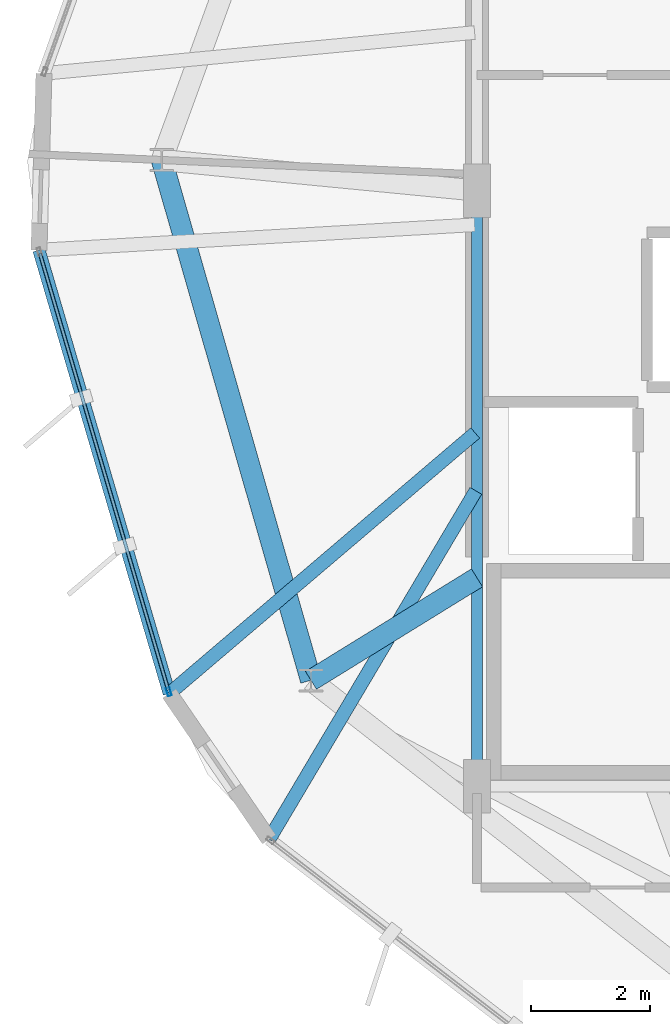
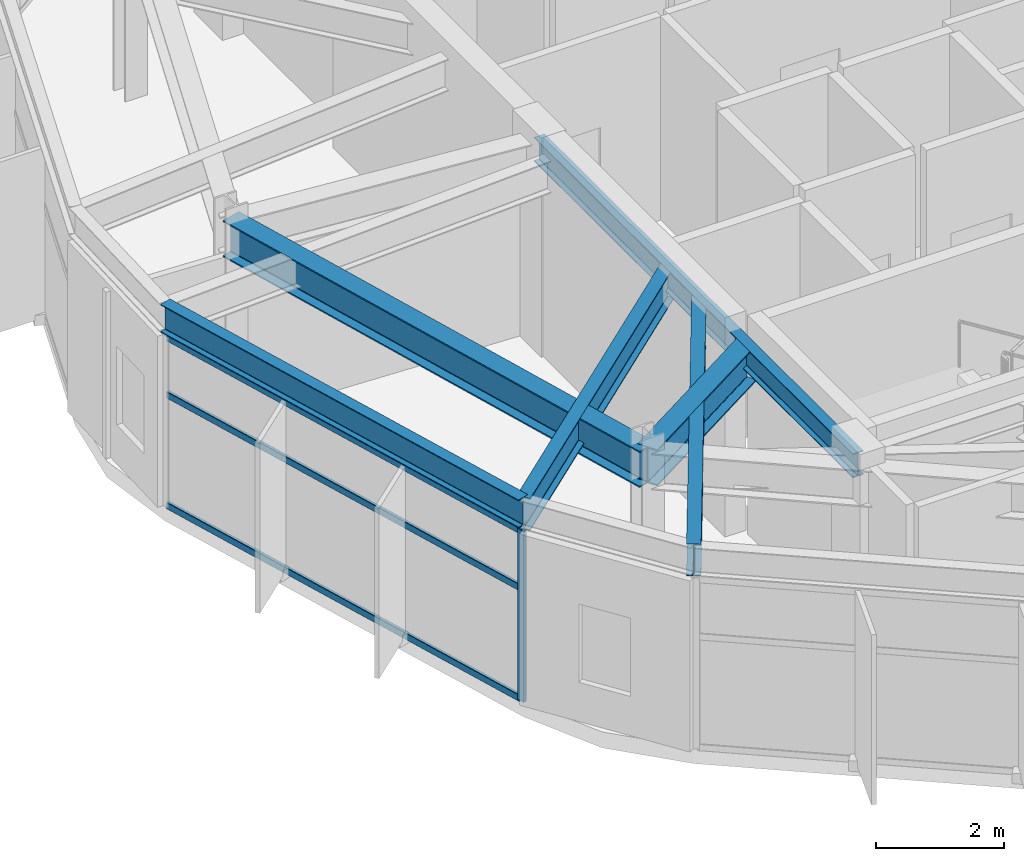
# One storey, part 4 of 20: 6 beams, 4 members, 1 element without a shape of its own.
"""IFC4 building model written with IfcOpenShell, lengths in metres."""

from ifc_helpers import new_model, si_unit, direction, frame, origin, origin_2d, place, context, subcontext, project, spatial, hollow_rectangle, i_section, extrude, material, layer, layer_set, material_profile, profile_set, type_object, element, aggregate, save


model = new_model("IFC4")

# Units and contexts
model_context = context("Model", 3, precision=1e-05, world=origin(), true_north=direction((0.0, 1.0)))
body_context = subcontext(model_context, "Body", "Model", "MODEL_VIEW")
ifc_project = project(units=[si_unit("LENGTHUNIT", "METRE"), si_unit("AREAUNIT", "SQUARE_METRE"), si_unit("VOLUMEUNIT", "CUBIC_METRE"), si_unit("PLANEANGLEUNIT", "RADIAN"), si_unit("MASSUNIT", "GRAM", prefix="KILO")], contexts=[model_context])

# Site, building, storey
site_placement = place(None, origin())
site = spatial("IfcSite", under=ifc_project, at=site_placement, CompositionType="ELEMENT")
building_placement = place(site_placement, origin())
building = spatial("IfcBuilding", under=site, at=building_placement, Name="Soratama Intermodal Tower", CompositionType="ELEMENT")
storey_placement = place(building_placement, frame((0.0, 0.0, 293.050048828125)))
storey = spatial("IfcBuildingStorey", under=building, at=storey_placement, Name="L74", CompositionType="ELEMENT", Elevation=293.050048828125)

# Beams
ifc_material_1 = material(Name="Structural steel ASTM A992 Grade 50", Category="steel")
ifc_material_profile_1 = material_profile(ifc_material_1, i_section(OverallWidth=0.19091796875, OverallDepth=0.4599609375, WebThickness=0.010009765625, FlangeThickness=0.01611328125, FilletRadius=0.010986328125, at=origin_2d()), Name="W18X55")
ifc_profile_set_1 = profile_set([ifc_material_profile_1], Name="Structural steel ASTM A992 Grade 50")
beam_type_1 = type_object("IfcBeamType", Name="BM-FLR-W18X55", PredefinedType="BEAM", material=ifc_profile_set_1)
beam_1_placement = place(storey_placement, frame((32.60009765625, 25.0, 3.6650390625), z_axis=(0.0, -1.0, 0.0), x_axis=(1.0, 0.0, 0.0)))
element("IfcBeam", 1, at=beam_1_placement, inside=storey, type_object=beam_type_1, Name="BM-L74-CRING-09", PredefinedType="BEAM", context=body_context, shape_type="SweptSolid", body=[
    extrude(i_section(OverallWidth=0.19091796875, OverallDepth=0.4599609375, WebThickness=0.010009765625, FlangeThickness=0.01611328125, FilletRadius=0.010986328125, at=origin_2d()), origin(), (0.0, 0.0, 1.0), 10.0),
])
ifc_material_2 = material(Name="Structural steel ASTM A992 Grade 50", Category="steel")
ifc_material_profile_2 = material_profile(ifc_material_2, i_section(OverallWidth=0.35498046875, OverallDepth=0.695068359375, WebThickness=0.015380859375, FlangeThickness=0.02490234375, FilletRadius=0.01611328125, at=origin_2d()), Name="W27X146")
ifc_profile_set_2 = profile_set([ifc_material_profile_2], Name="Structural steel ASTM A992 Grade 50")
beam_type_2 = type_object("IfcBeamType", Name="BM-RING-W27X146", PredefinedType="BEAM", material=ifc_profile_set_2)
beam_2_placement = place(storey_placement, frame((27.30908203125, 25.512939453125, 3.54736328125), z_axis=(0.275615442928, -0.961267979088, 0.0), x_axis=(0.961267979088, 0.275615442928, 0.0)))
element("IfcBeam", 2, at=beam_2_placement, inside=storey, type_object=beam_type_2, Name="BM-L74-RING-05", PredefinedType="BEAM", context=body_context, shape_type="SweptSolid", body=[
    extrude(i_section(OverallWidth=0.35498046875, OverallDepth=0.695068359375, WebThickness=0.015380859375, FlangeThickness=0.02490234375, FilletRadius=0.01611328125, at=origin_2d()), origin(), (0.0, 0.0, 1.0), 9.084716796875),
])
beam_3_placement = place(storey_placement, frame((32.60009765625, 18.5, 3.54736328125), z_axis=(-0.850999862817, -0.525165910437, 0.0), x_axis=(0.525165910437, -0.850999862817, 0.0)))
element("IfcBeam", 3, at=beam_3_placement, inside=storey, type_object=beam_type_2, Name="BM-L74-RAD-06", PredefinedType="BEAM", context=body_context, shape_type="SweptSolid", body=[
    extrude(i_section(OverallWidth=0.35498046875, OverallDepth=0.695068359375, WebThickness=0.015380859375, FlangeThickness=0.02490234375, FilletRadius=0.01611328125, at=origin_2d()), origin(), (0.0, 0.0, 1.0), 3.275146484375),
])
ifc_material_3 = material(Name="Structural steel ASTM A992 Grade 50", Category="steel")
ifc_material_profile_3 = material_profile(ifc_material_3, i_section(OverallWidth=0.2099609375, OverallDepth=0.537109375, WebThickness=0.010986328125, FlangeThickness=0.017333984375, FilletRadius=0.012939453125, at=origin_2d()), Name="W21X68")
ifc_profile_set_3 = profile_set([ifc_material_profile_3], Name="Structural steel ASTM A992 Grade 50")
beam_type_3 = type_object("IfcBeamType", Name="BM-SPN-W21X68", PredefinedType="SPANDREL", material=ifc_profile_set_3)
beam_4_placement = place(storey_placement, frame((25.2470703125, 24.0009765625, 3.62646484375), z_axis=(0.28203683216, -0.959403577909, 0.0), x_axis=(0.959403577909, 0.28203683216, 0.0)))
element("IfcBeam", 4, at=beam_4_placement, inside=storey, type_object=beam_type_3, Name="BS-L74-F04", PredefinedType="SPANDREL", context=body_context, shape_type="SweptSolid", body=[
    extrude(i_section(OverallWidth=0.2099609375, OverallDepth=0.537109375, WebThickness=0.010986328125, FlangeThickness=0.017333984375, FilletRadius=0.012939453125, at=origin_2d()), origin(), (0.0, 0.0, 1.0), 7.7578125),
])
ifc_material_4 = material(Name="Structural steel ASTM A992 Grade 50", Category="steel")
ifc_material_profile_4 = material_profile(ifc_material_4, i_section(OverallWidth=0.22900390625, OverallDepth=0.612060546875, WebThickness=0.011962890625, FlangeThickness=0.01953125, FilletRadius=0.012939453125, at=origin_2d()), Name="W24X84")
ifc_profile_set_4 = profile_set([ifc_material_profile_4], Name="Structural steel ASTM A992 Grade 50")
beam_type_4 = type_object("IfcBeamType", Name="BM-TIE-W24X84", PredefinedType="BEAM", material=ifc_profile_set_4)
beam_5_placement = place(storey_placement, frame((32.570068359375, 20.931884765625, 3.5888671875), z_axis=(-0.76127896349, -0.64842450582, 0.0), x_axis=(0.64842450582, -0.76127896349, 0.0)))
element("IfcBeam", 5, at=beam_5_placement, inside=storey, type_object=beam_type_4, Name="BM-L74-TIE1-04", PredefinedType="BEAM", context=body_context, shape_type="SweptSolid", body=[
    extrude(i_section(OverallWidth=0.22900390625, OverallDepth=0.612060546875, WebThickness=0.011962890625, FlangeThickness=0.01953125, FilletRadius=0.012939453125, at=origin_2d()), origin(), (0.0, 0.0, 1.0), 6.745361328125),
])
beam_6_placement = place(storey_placement, frame((32.580078125, 19.9609375, 3.5888671875), z_axis=(-0.510108318004, -0.860110169631, 0.0), x_axis=(0.860110169631, -0.510108318004, 0.0)))
element("IfcBeam", 6, at=beam_6_placement, inside=storey, type_object=beam_type_4, Name="BM-L74-TIE0-05", PredefinedType="BEAM", context=body_context, shape_type="SweptSolid", body=[
    extrude(i_section(OverallWidth=0.22900390625, OverallDepth=0.612060546875, WebThickness=0.011962890625, FlangeThickness=0.01953125, FilletRadius=0.012939453125, at=origin_2d()), origin(), (0.0, 0.0, 1.0), 6.802490234375),
])

# Curtain wall, members
ifc_material_5 = material(Name="Double-glazed aluminium curtain wall", Category="aluminium")
ifc_layer = layer(ifc_material_5, 0.159912109375)
ifc_layer_set = layer_set([ifc_layer], Name="Double-glazed aluminium curtain wall")
curtain_wall_type = type_object("IfcCurtainWallType", Name="CW-SYS-6", PredefinedType="NOTDEFINED", material=ifc_layer_set)
curtain_wall_placement = place(storey_placement, origin())
curtain_wall = element("IfcCurtainWall", 7, at=curtain_wall_placement, inside=storey, type_object=curtain_wall_type, Name="L74 Faceted Curtain Wall F04", PredefinedType="NOTDEFINED")
ifc_material_6 = material(Name="Anodised aluminium AA 6063-T6", Category="aluminium")
ifc_material_profile_5 = material_profile(ifc_material_6, hollow_rectangle(XDim=0.06494140625, YDim=0.139892578125, WallThickness=0.0048828125, InnerFilletRadius=0.0048828125, OuterFilletRadius=0.010009765625, at=origin_2d()), Name="CWM140X65X5")
ifc_profile_set_5 = profile_set([ifc_material_profile_5], Name="Anodised aluminium AA 6063-T6")
member_type_1 = type_object("IfcMemberType", Name="MT-CWM-6", PredefinedType="MULLION", material=ifc_profile_set_5)
member_1_placement = place(storey_placement, frame((27.42626953125, 16.586669921875, 0.0), z_axis=(0.0, 0.0, 1.0), x_axis=(0.95941351654, 0.282003021758, 0.0)))
member_1 = element("IfcMember", 8, at=member_1_placement, type_object=member_type_1, Name="CW-6 mullion 2", PredefinedType="MULLION", context=body_context, shape_type="SweptSolid", body=[
    extrude(hollow_rectangle(XDim=0.06494140625, YDim=0.139892578125, WallThickness=0.0048828125, InnerFilletRadius=0.0048828125, OuterFilletRadius=0.010009765625, at=origin_2d()), origin(), (0.0, 0.0, 1.0), 3.27392578125),
])
ifc_material_7 = material(Name="Anodised aluminium AA 6063-T6", Category="aluminium")
ifc_material_profile_6 = material_profile(ifc_material_7, hollow_rectangle(XDim=0.06005859375, YDim=0.1298828125, WallThickness=0.0048828125, InnerFilletRadius=0.0048828125, OuterFilletRadius=0.010009765625, at=origin_2d()), Name="CWT130X60X5")
ifc_profile_set_6 = profile_set([ifc_material_profile_6], Name="Anodised aluminium AA 6063-T6")
member_type_2 = type_object("IfcMemberType", Name="TT-CWT-2", PredefinedType="USERDEFINED", material=ifc_profile_set_6)
member_2_placement = place(storey_placement, frame((25.263916015625, 23.943603515625, 0.030029296875), z_axis=(0.281982884412, -0.959419435335, 0.0), x_axis=(0.959419435335, 0.281982884412, 0.0)))
member_2 = element("IfcMember", 9, at=member_2_placement, type_object=member_type_2, Name="CW-6 transom 1.1", ObjectType="TRANSOM", PredefinedType="USERDEFINED", context=body_context, shape_type="SweptSolid", body=[
    extrude(hollow_rectangle(XDim=0.06005859375, YDim=0.1298828125, WallThickness=0.0048828125, InnerFilletRadius=0.0048828125, OuterFilletRadius=0.010009765625, at=origin_2d()), origin(), (0.0, 0.0, 1.0), 7.63818359375),
])
member_3_placement = place(storey_placement, frame((25.263916015625, 23.943603515625, 2.14990234375), z_axis=(0.281982884412, -0.959419435335, 0.0), x_axis=(0.959419435335, 0.281982884412, 0.0)))
member_3 = element("IfcMember", 10, at=member_3_placement, type_object=member_type_2, Name="CW-6 transom 1.2", ObjectType="TRANSOM", PredefinedType="USERDEFINED", context=body_context, shape_type="SweptSolid", body=[
    extrude(hollow_rectangle(XDim=0.06005859375, YDim=0.1298828125, WallThickness=0.0048828125, InnerFilletRadius=0.0048828125, OuterFilletRadius=0.010009765625, at=origin_2d()), origin(), (0.0, 0.0, 1.0), 7.63818359375),
])
member_4_placement = place(storey_placement, frame((25.263916015625, 23.943603515625, 3.243896484375), z_axis=(0.281982884412, -0.959419435335, 0.0), x_axis=(0.959419435335, 0.281982884412, 0.0)))
member_4 = element("IfcMember", 11, at=member_4_placement, type_object=member_type_2, Name="CW-6 transom 1.3", ObjectType="TRANSOM", PredefinedType="USERDEFINED", context=body_context, shape_type="SweptSolid", body=[
    extrude(hollow_rectangle(XDim=0.06005859375, YDim=0.1298828125, WallThickness=0.0048828125, InnerFilletRadius=0.0048828125, OuterFilletRadius=0.010009765625, at=origin_2d()), origin(), (0.0, 0.0, 1.0), 7.63818359375),
])
aggregate(curtain_wall, [member_1, member_2, member_3, member_4])

save(model, "model.ifc")
